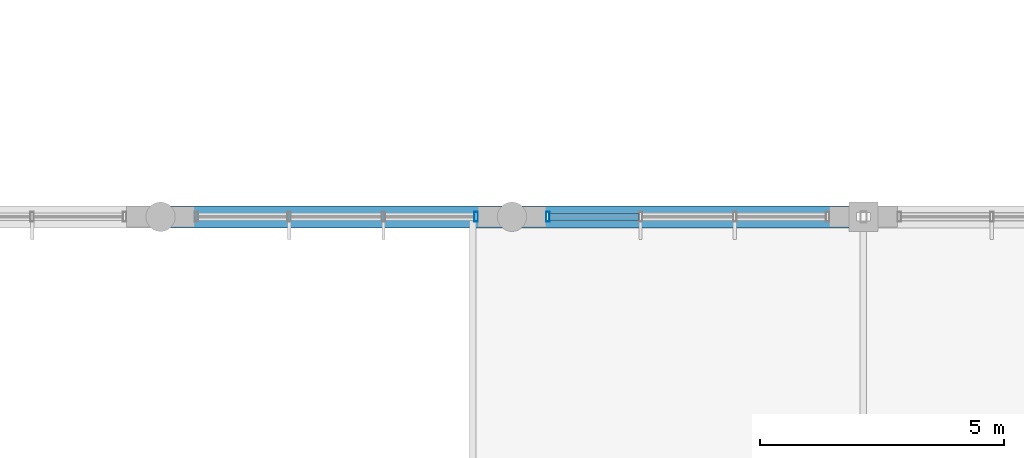
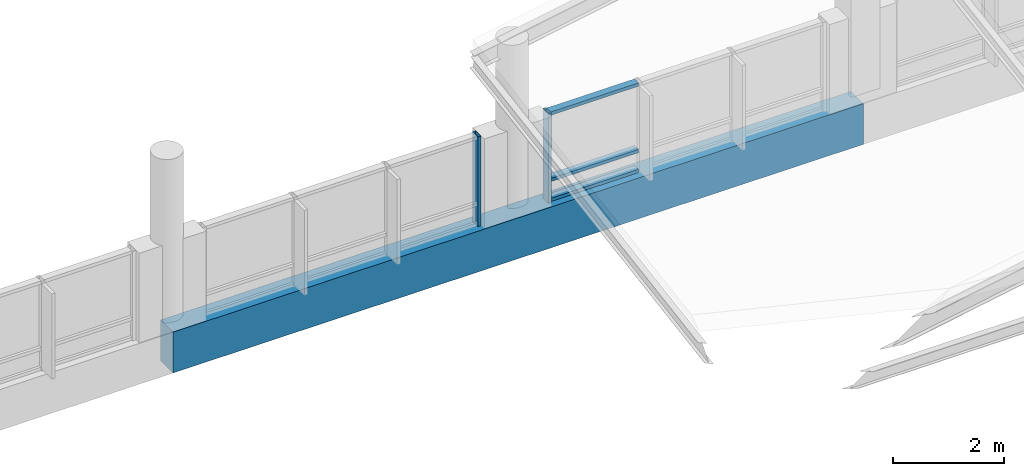
# One storey, part 48 of 189: 5 members, 1 beam, 2 elements without a shape of their own.
"""IFC4 building model written with IfcOpenShell, lengths in metres."""

from ifc_helpers import new_model, si_unit, direction, frame, origin, origin_2d, place, context, subcontext, project, spatial, rectangle, hollow_rectangle, extrude, material, material_profile, profile_set, type_object, element, aggregate, save


model = new_model("IFC4")

# Units and contexts
model_context = context("Model", 3, precision=1e-05, world=origin(), true_north=direction((0.0, 1.0)))
body_context = subcontext(model_context, "Body", "Model", "MODEL_VIEW")
ifc_project = project(units=[si_unit("LENGTHUNIT", "METRE"), si_unit("AREAUNIT", "SQUARE_METRE"), si_unit("VOLUMEUNIT", "CUBIC_METRE"), si_unit("PLANEANGLEUNIT", "RADIAN"), si_unit("MASSUNIT", "GRAM", prefix="KILO")], contexts=[model_context])

# Site, building, storey
site_placement = place(None, origin())
site = spatial("IfcSite", under=ifc_project, at=site_placement, CompositionType="ELEMENT")
building_placement = place(site_placement, origin())
building = spatial("IfcBuilding", under=site, at=building_placement, Name="Zavelmont Quarter", CompositionType="ELEMENT")
storey_placement = place(building_placement, frame((0.0, 0.0, 4.39990234375)))
storey = spatial("IfcBuildingStorey", under=building, at=storey_placement, Name="L01", CompositionType="ELEMENT", Elevation=4.39990234375)

# Beam
ifc_material_1 = material(Name="Concrete C40/50", Category="concrete")
ifc_material_profile_1 = material_profile(ifc_material_1, rectangle(XDim=0.449951171875, YDim=0.89990234375, at=origin_2d()), Name="RC450X900")
ifc_profile_set_1 = profile_set([ifc_material_profile_1], Name="Concrete C40/50")
beam_type = type_object("IfcBeamType", Name="BM06", PredefinedType="BEAM", material=ifc_profile_set_1)
beam_placement = place(storey_placement, frame((69.60009765625, 30.0, -0.72998046875), z_axis=(1.0, 0.0, 0.0), x_axis=(0.0, 1.0, 0.0)))
element("IfcBeam", 1, at=beam_placement, inside=storey, type_object=beam_type, Name="L01 beam BM06 11/F to 13/F", PredefinedType="BEAM", context=body_context, shape_type="SweptSolid", body=[
    extrude(rectangle(XDim=0.449951171875, YDim=0.89990234375, at=origin_2d()), origin(), (0.0, 0.0, 1.0), 14.39990234375),
])

# Curtain wall, member
ifc_material_2 = material(Name="Thermally broken aluminium and double low-E safety glazing", Category="aluminium")
curtain_wall_type = type_object("IfcCurtainWallType", Name="CW-580X198", PredefinedType="NOTDEFINED", material=ifc_material_2)
curtain_wall_1_placement = place(storey_placement, origin())
curtain_wall_1 = element("IfcCurtainWall", 2, at=curtain_wall_1_placement, inside=storey, type_object=curtain_wall_type, Name="L01 unitised curtain wall CW-580X198", PredefinedType="NOTDEFINED")
ifc_material_3 = material(Name="Powder-coated aluminium EN AW-6063-T6", Category="aluminium")
ifc_material_profile_2 = material_profile(ifc_material_3, hollow_rectangle(XDim=0.070068359375, YDim=0.199951171875, WallThickness=0.0048828125, at=origin_2d()), Name="CWM70X200")
ifc_profile_set_2 = profile_set([ifc_material_profile_2], Name="Powder-coated aluminium EN AW-6063-T6")
member_type_1 = type_object("IfcMemberType", Name="CWM02", PredefinedType="MULLION", material=ifc_profile_set_2)
member_1_placement = place(storey_placement, frame((76.06494140625, 30.0, -0.27978515625), z_axis=(0.0, 0.0, 1.0), x_axis=(1.0, 0.0, 0.0)))
member_1 = element("IfcMember", 3, at=member_1_placement, type_object=member_type_1, Name="CW-580X198 mullion 4", PredefinedType="MULLION", context=body_context, shape_type="SweptSolid", body=[
    extrude(hollow_rectangle(XDim=0.070068359375, YDim=0.199951171875, WallThickness=0.0048828125, at=origin_2d()), origin(), (0.0, 0.0, 1.0), 1.974853515625),
])
aggregate(curtain_wall_1, [member_1])

# Curtain wall, members
curtain_wall_2_placement = place(storey_placement, origin())
curtain_wall_2 = element("IfcCurtainWall", 4, at=curtain_wall_2_placement, inside=storey, type_object=curtain_wall_type, Name="L01 unitised curtain wall CW-580X198", PredefinedType="NOTDEFINED")
member_2_placement = place(storey_placement, frame((77.534912109375, 30.0, -0.27978515625), z_axis=(0.0, 0.0, 1.0), x_axis=(1.0, 0.0, 0.0)))
member_2 = element("IfcMember", 5, at=member_2_placement, type_object=member_type_1, Name="CW-580X198 mullion 1", PredefinedType="MULLION", context=body_context, shape_type="SweptSolid", body=[
    extrude(hollow_rectangle(XDim=0.070068359375, YDim=0.199951171875, WallThickness=0.0048828125, at=origin_2d()), origin(), (0.0, 0.0, 1.0), 1.974853515625),
])
ifc_material_profile_3 = material_profile(ifc_material_3, hollow_rectangle(XDim=0.14990234375, YDim=0.070068359375, WallThickness=0.00439453125, at=origin_2d()), Name="CWT70X150")
ifc_profile_set_3 = profile_set([ifc_material_profile_3], Name="Powder-coated aluminium EN AW-6063-T6")
member_type_2 = type_object("IfcMemberType", Name="CWT02", PredefinedType="NOTDEFINED", material=ifc_profile_set_3)
member_3_placement = place(storey_placement, frame((77.570068359375, 30.0, -0.244873046875), z_axis=(1.0, 0.0, 0.0), x_axis=(0.0, 1.0, 0.0)))
member_3 = element("IfcMember", 6, at=member_3_placement, type_object=member_type_2, Name="CW-580X198 transom 1.1", ObjectType="TRANSOM", PredefinedType="USERDEFINED", context=body_context, shape_type="SweptSolid", body=[
    extrude(hollow_rectangle(XDim=0.14990234375, YDim=0.070068359375, WallThickness=0.00439453125, at=origin_2d()), origin(), (0.0, 0.0, 1.0), 1.828369140625),
])
member_4_placement = place(storey_placement, frame((77.570068359375, 30.0, 0.194091796875), z_axis=(1.0, 0.0, 0.0), x_axis=(0.0, 1.0, 0.0)))
member_4 = element("IfcMember", 7, at=member_4_placement, type_object=member_type_2, Name="CW-580X198 transom 1.2", ObjectType="TRANSOM", PredefinedType="USERDEFINED", context=body_context, shape_type="SweptSolid", body=[
    extrude(hollow_rectangle(XDim=0.14990234375, YDim=0.070068359375, WallThickness=0.00439453125, at=origin_2d()), origin(), (0.0, 0.0, 1.0), 1.828369140625),
])
member_5_placement = place(storey_placement, frame((77.570068359375, 30.0, 1.66015625), z_axis=(1.0, 0.0, 0.0), x_axis=(0.0, 1.0, 0.0)))
member_5 = element("IfcMember", 8, at=member_5_placement, type_object=member_type_2, Name="CW-580X198 transom 1.3", ObjectType="TRANSOM", PredefinedType="USERDEFINED", context=body_context, shape_type="SweptSolid", body=[
    extrude(hollow_rectangle(XDim=0.14990234375, YDim=0.070068359375, WallThickness=0.00439453125, at=origin_2d()), origin(), (0.0, 0.0, 1.0), 1.828369140625),
])
aggregate(curtain_wall_2, [member_2, member_3, member_4, member_5])

save(model, "model.ifc")
